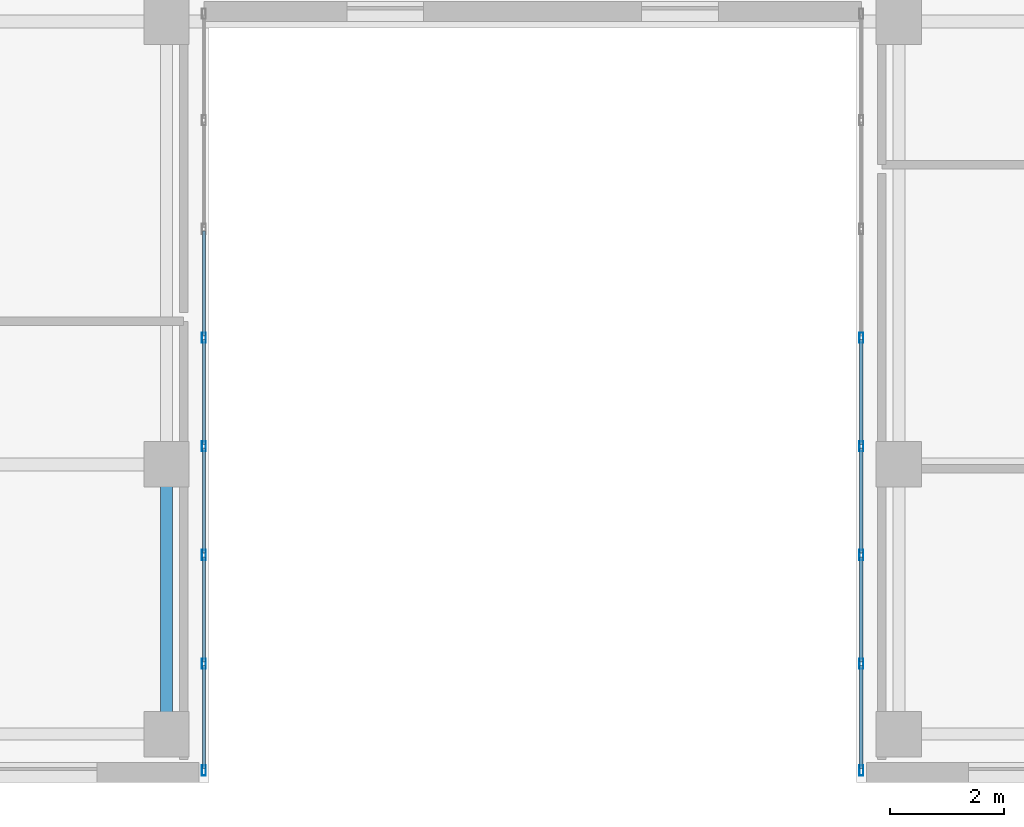
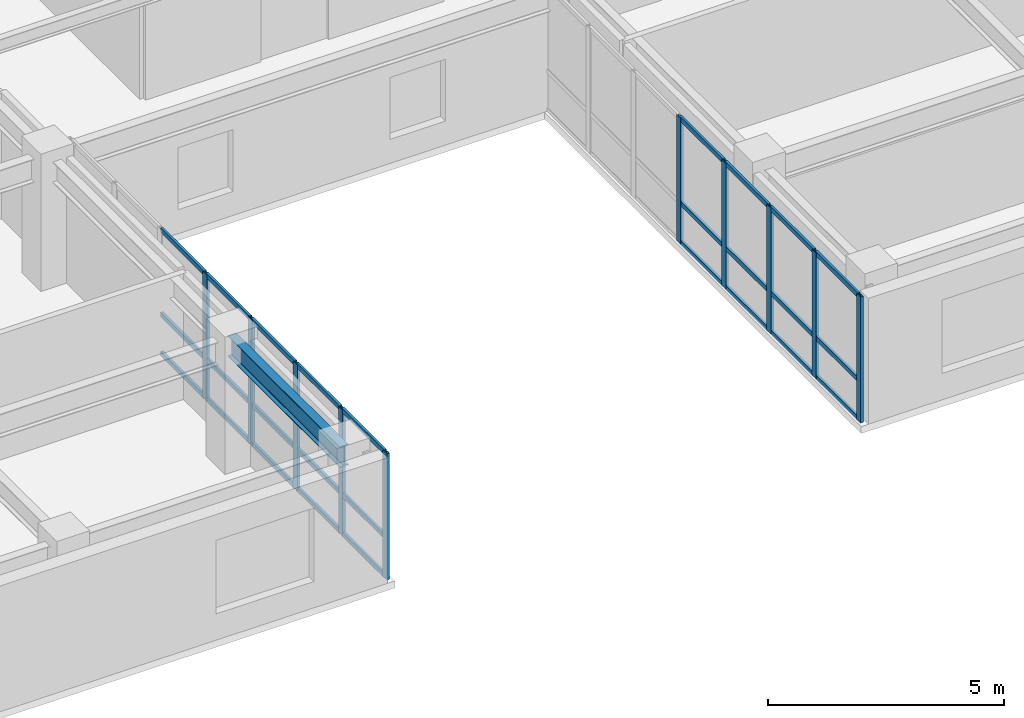
# One storey, part 3 of 14: 37 members, 1 beam, 2 elements without a shape of their own.
"""IFC4 building model written with IfcOpenShell, lengths in metres."""

from ifc_helpers import new_model, si_unit, direction, frame, origin, origin_2d, place, context, subcontext, project, spatial, hollow_rectangle, i_section, extrude, source, transform, mapped, material, layer, layer_set, material_profile, profile_set, type_object, type_shapes, element, aggregate, save


model = new_model("IFC4")

# Units and contexts
model_context = context("Model", 3, precision=1e-05, world=origin(), true_north=direction((0.0, 1.0)))
body_context = subcontext(model_context, "Body", "Model", "MODEL_VIEW")
ifc_project = project(units=[si_unit("LENGTHUNIT", "METRE"), si_unit("AREAUNIT", "SQUARE_METRE"), si_unit("VOLUMEUNIT", "CUBIC_METRE"), si_unit("PLANEANGLEUNIT", "RADIAN"), si_unit("MASSUNIT", "GRAM", prefix="KILO")], contexts=[model_context])

# Site, building, storey
site_placement = place(None, origin())
site = spatial("IfcSite", under=ifc_project, at=site_placement, CompositionType="ELEMENT")
building_placement = place(site_placement, origin())
building = spatial("IfcBuilding", under=site, at=building_placement, Name="Tolvann Quenvar Hotel", CompositionType="ELEMENT")
storey_placement = place(building_placement, frame((0.0, 0.0, 179.0)))
storey = spatial("IfcBuildingStorey", under=building, at=storey_placement, Name="L47", CompositionType="ELEMENT", Elevation=179.0)

# Beam
ifc_material_1 = material(Name="Steel Grade 350", Category="steel")
ifc_material_profile_1 = material_profile(ifc_material_1, i_section(OverallWidth=0.208984375, OverallDepth=0.532958984375, WebThickness=0.01025390625, FlangeThickness=0.015625, FilletRadius=0.013916015625, at=origin_2d()), Name="530UB92")
ifc_profile_set_1 = profile_set([ifc_material_profile_1], Name="Steel Grade 350")
beam_type = type_object("IfcBeamType", Name="BM_GIRD_530UB92", PredefinedType="BEAM", material=ifc_profile_set_1)
shared_shape_1 = source(origin(), body_context, "Body", "SweptSolid", [
    extrude(i_section(OverallWidth=0.208984375, OverallDepth=0.532958984375, WebThickness=0.01025390625, FlangeThickness=0.015625, FilletRadius=0.013916015625, at=origin_2d()), origin(), (0.0, 0.0, 1.0), 4.75),
])
type_shapes(beam_type, [shared_shape_1])
beam_placement = place(storey_placement, frame((22.050048828125, 3.449951171875, 2.9833984375), z_axis=(0.0, 1.0, 0.0), x_axis=(-1.0, 0.0, 0.0)))
element("IfcBeam", 1, at=beam_placement, inside=storey, type_object=beam_type, Name="BM-L47-NS-E2-E3", PredefinedType="BEAM", context=body_context, shape_type="MappedRepresentation", body=[
    mapped(shared_shape_1, transform((0.0, 0.0, 0.0), x_axis=(1.0, 0.0, 0.0), y_axis=(0.0, 1.0, 0.0), z_axis=(0.0, 0.0, 1.0), scale=1.0)),
])

# Curtain wall, members
ifc_material_2 = material(Name="Thermally broken anodised architectural aluminium 6063-T6 and laminated low-E glass", Category="aluminium")
ifc_layer = layer(ifc_material_2, 0.179931640625)
ifc_layer_set = layer_set([ifc_layer], Name="Thermally broken anodised architectural aluminium 6063-T6 and laminated low-E glass")
curtain_wall_type = type_object("IfcCurtainWallType", Name="CW_SYS_SLOT_03", PredefinedType="USERDEFINED", material=ifc_layer_set)
curtain_wall_1_placement = place(storey_placement, origin())
curtain_wall_1 = element("IfcCurtainWall", 2, at=curtain_wall_1_placement, inside=storey, type_object=curtain_wall_type, Name="Curtain Wall CW-SLOT-03 (CWR-L47-E05)", ObjectType="UNITISED CURTAIN WALL", PredefinedType="USERDEFINED")
ifc_material_3 = material(Name="Anodised architectural aluminium 6063-T6 framing", Category="aluminium")
ifc_material_profile_2 = material_profile(ifc_material_3, hollow_rectangle(XDim=0.070068359375, YDim=0.179931640625, WallThickness=0.00390625, at=origin_2d()), Name="180x70x4RHS")
ifc_profile_set_2 = profile_set([ifc_material_profile_2], Name="Anodised architectural aluminium 6063-T6 framing")
member_type_1 = type_object("IfcMemberType", Name="CW_MULL_180x70", PredefinedType="MULLION", material=ifc_profile_set_2)
shared_shape_2 = source(origin(), body_context, "Body", "SweptSolid", [
    extrude(hollow_rectangle(XDim=0.070068359375, YDim=0.179931640625, WallThickness=0.00390625, at=origin_2d()), origin(), (0.0, 0.0, 1.0), 3.25),
])
type_shapes(member_type_1, [shared_shape_2])
member_1_placement = place(storey_placement, frame((22.7099609375, 2.81005859375, 0.0), z_axis=(0.0, 0.0, 1.0), x_axis=(-1.0, 0.0, 0.0)))
member_1 = element("IfcMember", 3, at=member_1_placement, type_object=member_type_1, Name="CW-SLOT-03 mullion 1", PredefinedType="MULLION", context=body_context, shape_type="MappedRepresentation", body=[
    mapped(shared_shape_2, transform((0.0, 0.0, 0.0), x_axis=(1.0, 0.0, 0.0), y_axis=(0.0, 1.0, 0.0), z_axis=(0.0, 0.0, 1.0), scale=1.0)),
])
member_2_placement = place(storey_placement, frame((22.7099609375, 4.689208984375, 0.0), z_axis=(0.0, 0.0, 1.0), x_axis=(-1.0, 0.0, 0.0)))
member_2 = element("IfcMember", 4, at=member_2_placement, type_object=member_type_1, Name="CW-SLOT-03 mullion 2", PredefinedType="MULLION", context=body_context, shape_type="MappedRepresentation", body=[
    mapped(shared_shape_2, transform((0.0, 0.0, 0.0), x_axis=(1.0, 0.0, 0.0), y_axis=(0.0, 1.0, 0.0), z_axis=(0.0, 0.0, 1.0), scale=1.0)),
])
member_3_placement = place(storey_placement, frame((22.7099609375, 6.603515625, 0.0), z_axis=(0.0, 0.0, 1.0), x_axis=(-1.0, 0.0, 0.0)))
member_3 = element("IfcMember", 5, at=member_3_placement, type_object=member_type_1, Name="CW-SLOT-03 mullion 3", PredefinedType="MULLION", context=body_context, shape_type="MappedRepresentation", body=[
    mapped(shared_shape_2, transform((0.0, 0.0, 0.0), x_axis=(1.0, 0.0, 0.0), y_axis=(0.0, 1.0, 0.0), z_axis=(0.0, 0.0, 1.0), scale=1.0)),
])
member_4_placement = place(storey_placement, frame((22.7099609375, 8.517822265625, 0.0), z_axis=(0.0, 0.0, 1.0), x_axis=(-1.0, 0.0, 0.0)))
member_4 = element("IfcMember", 6, at=member_4_placement, type_object=member_type_1, Name="CW-SLOT-03 mullion 4", PredefinedType="MULLION", context=body_context, shape_type="MappedRepresentation", body=[
    mapped(shared_shape_2, transform((0.0, 0.0, 0.0), x_axis=(1.0, 0.0, 0.0), y_axis=(0.0, 1.0, 0.0), z_axis=(0.0, 0.0, 1.0), scale=1.0)),
])
member_5_placement = place(storey_placement, frame((22.7099609375, 10.43212890625, 0.0), z_axis=(0.0, 0.0, 1.0), x_axis=(-1.0, 0.0, 0.0)))
member_5 = element("IfcMember", 7, at=member_5_placement, type_object=member_type_1, Name="CW-SLOT-03 mullion 5", PredefinedType="MULLION", context=body_context, shape_type="MappedRepresentation", body=[
    mapped(shared_shape_2, transform((0.0, 0.0, 0.0), x_axis=(1.0, 0.0, 0.0), y_axis=(0.0, 1.0, 0.0), z_axis=(0.0, 0.0, 1.0), scale=1.0)),
])

curtain_wall_2_placement = place(storey_placement, origin())
curtain_wall_2 = element("IfcCurtainWall", 8, at=curtain_wall_2_placement, inside=storey, type_object=curtain_wall_type, Name="Curtain Wall CW-SLOT-03 (CWR-L47-E07)", ObjectType="UNITISED CURTAIN WALL", PredefinedType="USERDEFINED")
member_6_placement = place(storey_placement, frame((34.2900390625, 10.43212890625, 0.0), z_axis=(0.0, 0.0, 1.0), x_axis=(1.0, 0.0, 0.0)))
member_6 = element("IfcMember", 9, at=member_6_placement, type_object=member_type_1, Name="CW-SLOT-03 mullion 4", PredefinedType="MULLION", context=body_context, shape_type="MappedRepresentation", body=[
    mapped(shared_shape_2, transform((0.0, 0.0, 0.0), x_axis=(1.0, 0.0, 0.0), y_axis=(0.0, 1.0, 0.0), z_axis=(0.0, 0.0, 1.0), scale=1.0)),
])
member_7_placement = place(storey_placement, frame((34.2900390625, 8.517822265625, 0.0), z_axis=(0.0, 0.0, 1.0), x_axis=(1.0, 0.0, 0.0)))
member_7 = element("IfcMember", 10, at=member_7_placement, type_object=member_type_1, Name="CW-SLOT-03 mullion 5", PredefinedType="MULLION", context=body_context, shape_type="MappedRepresentation", body=[
    mapped(shared_shape_2, transform((0.0, 0.0, 0.0), x_axis=(1.0, 0.0, 0.0), y_axis=(0.0, 1.0, 0.0), z_axis=(0.0, 0.0, 1.0), scale=1.0)),
])
member_8_placement = place(storey_placement, frame((34.2900390625, 6.603515625, 0.0), z_axis=(0.0, 0.0, 1.0), x_axis=(1.0, 0.0, 0.0)))
member_8 = element("IfcMember", 11, at=member_8_placement, type_object=member_type_1, Name="CW-SLOT-03 mullion 6", PredefinedType="MULLION", context=body_context, shape_type="MappedRepresentation", body=[
    mapped(shared_shape_2, transform((0.0, 0.0, 0.0), x_axis=(1.0, 0.0, 0.0), y_axis=(0.0, 1.0, 0.0), z_axis=(0.0, 0.0, 1.0), scale=1.0)),
])
member_9_placement = place(storey_placement, frame((34.2900390625, 4.689208984375, 0.0), z_axis=(0.0, 0.0, 1.0), x_axis=(1.0, 0.0, 0.0)))
member_9 = element("IfcMember", 12, at=member_9_placement, type_object=member_type_1, Name="CW-SLOT-03 mullion 7", PredefinedType="MULLION", context=body_context, shape_type="MappedRepresentation", body=[
    mapped(shared_shape_2, transform((0.0, 0.0, 0.0), x_axis=(1.0, 0.0, 0.0), y_axis=(0.0, 1.0, 0.0), z_axis=(0.0, 0.0, 1.0), scale=1.0)),
])
member_10_placement = place(storey_placement, frame((34.2900390625, 2.81005859375, 0.0), z_axis=(0.0, 0.0, 1.0), x_axis=(1.0, 0.0, 0.0)))
member_10 = element("IfcMember", 13, at=member_10_placement, type_object=member_type_1, Name="CW-SLOT-03 mullion 8", PredefinedType="MULLION", context=body_context, shape_type="MappedRepresentation", body=[
    mapped(shared_shape_2, transform((0.0, 0.0, 0.0), x_axis=(1.0, 0.0, 0.0), y_axis=(0.0, 1.0, 0.0), z_axis=(0.0, 0.0, 1.0), scale=1.0)),
])

# Member
ifc_material_profile_3 = material_profile(ifc_material_3, hollow_rectangle(XDim=0.06005859375, YDim=0.1201171875, WallThickness=0.00341796875, at=origin_2d()), Name="120x60x3.5RHS")
ifc_profile_set_3 = profile_set([ifc_material_profile_3], Name="Anodised architectural aluminium 6063-T6 framing")
member_type_2 = type_object("IfcMemberType", Name="CW_TRAN_120x60", PredefinedType="USERDEFINED", material=ifc_profile_set_3)
shared_shape_3 = source(origin(), body_context, "Body", "SweptSolid", [
    extrude(hollow_rectangle(XDim=0.06005859375, YDim=0.1201171875, WallThickness=0.00341796875, at=origin_2d()), origin(), (0.0, 0.0, 1.0), 1.809326171875),
])
member_11_placement = place(storey_placement, frame((22.7099609375, 2.844970703125, 0.030029296875), z_axis=(0.0, 1.0, 0.0), x_axis=(-1.0, 0.0, 0.0)))
member_11 = element("IfcMember", 14, at=member_11_placement, type_object=member_type_2, Name="CW-SLOT-03 transom 1.1", ObjectType="TRANSOM", PredefinedType="USERDEFINED", context=body_context, shape_type="MappedRepresentation", body=[
    mapped(shared_shape_3, transform((0.0, 0.0, 0.0), x_axis=(1.0, 0.0, 0.0), y_axis=(0.0, 1.0, 0.0), z_axis=(0.0, 0.0, 1.0), scale=1.0)),
])

member_12_placement = place(storey_placement, frame((22.7099609375, 2.844970703125, 1.0400390625), z_axis=(0.0, 1.0, 0.0), x_axis=(-1.0, 0.0, 0.0)))
member_12 = element("IfcMember", 15, at=member_12_placement, type_object=member_type_2, Name="CW-SLOT-03 transom 1.2", ObjectType="TRANSOM", PredefinedType="USERDEFINED", context=body_context, shape_type="MappedRepresentation", body=[
    mapped(shared_shape_3, transform((0.0, 0.0, 0.0), x_axis=(1.0, 0.0, 0.0), y_axis=(0.0, 1.0, 0.0), z_axis=(0.0, 0.0, 1.0), scale=1.0)),
])

member_13_placement = place(storey_placement, frame((22.7099609375, 2.844970703125, 3.219970703125), z_axis=(0.0, 1.0, 0.0), x_axis=(-1.0, 0.0, 0.0)))
member_13 = element("IfcMember", 16, at=member_13_placement, type_object=member_type_2, Name="CW-SLOT-03 transom 1.3", ObjectType="TRANSOM", PredefinedType="USERDEFINED", context=body_context, shape_type="MappedRepresentation", body=[
    mapped(shared_shape_3, transform((0.0, 0.0, 0.0), x_axis=(1.0, 0.0, 0.0), y_axis=(0.0, 1.0, 0.0), z_axis=(0.0, 0.0, 1.0), scale=1.0)),
])

member_14_placement = place(storey_placement, frame((34.2900390625, 4.654296875, 0.030029296875), z_axis=(0.0, -1.0, 0.0), x_axis=(1.0, 0.0, 0.0)))
member_14 = element("IfcMember", 17, at=member_14_placement, type_object=member_type_2, Name="CW-SLOT-03 transom 7.1", ObjectType="TRANSOM", PredefinedType="USERDEFINED", context=body_context, shape_type="MappedRepresentation", body=[
    mapped(shared_shape_3, transform((0.0, 0.0, 0.0), x_axis=(1.0, 0.0, 0.0), y_axis=(0.0, 1.0, 0.0), z_axis=(0.0, 0.0, 1.0), scale=1.0)),
])

member_15_placement = place(storey_placement, frame((34.2900390625, 4.654296875, 1.0400390625), z_axis=(0.0, -1.0, 0.0), x_axis=(1.0, 0.0, 0.0)))
member_15 = element("IfcMember", 18, at=member_15_placement, type_object=member_type_2, Name="CW-SLOT-03 transom 7.2", ObjectType="TRANSOM", PredefinedType="USERDEFINED", context=body_context, shape_type="MappedRepresentation", body=[
    mapped(shared_shape_3, transform((0.0, 0.0, 0.0), x_axis=(1.0, 0.0, 0.0), y_axis=(0.0, 1.0, 0.0), z_axis=(0.0, 0.0, 1.0), scale=1.0)),
])

member_16_placement = place(storey_placement, frame((34.2900390625, 4.654296875, 3.219970703125), z_axis=(0.0, -1.0, 0.0), x_axis=(1.0, 0.0, 0.0)))
member_16 = element("IfcMember", 19, at=member_16_placement, type_object=member_type_2, Name="CW-SLOT-03 transom 7.3", ObjectType="TRANSOM", PredefinedType="USERDEFINED", context=body_context, shape_type="MappedRepresentation", body=[
    mapped(shared_shape_3, transform((0.0, 0.0, 0.0), x_axis=(1.0, 0.0, 0.0), y_axis=(0.0, 1.0, 0.0), z_axis=(0.0, 0.0, 1.0), scale=1.0)),
])

shared_shape_4 = source(origin(), body_context, "Body", "SweptSolid", [
    extrude(hollow_rectangle(XDim=0.06005859375, YDim=0.1201171875, WallThickness=0.00341796875, at=origin_2d()), origin(), (0.0, 0.0, 1.0), 1.84423828125),
])
member_17_placement = place(storey_placement, frame((22.7099609375, 4.724365234375, 0.030029296875), z_axis=(0.0, 1.0, 0.0), x_axis=(-1.0, 0.0, 0.0)))
member_17 = element("IfcMember", 20, at=member_17_placement, type_object=member_type_2, Name="CW-SLOT-03 transom 2.1", ObjectType="TRANSOM", PredefinedType="USERDEFINED", context=body_context, shape_type="MappedRepresentation", body=[
    mapped(shared_shape_4, transform((0.0, 0.0, 0.0), x_axis=(1.0, 0.0, 0.0), y_axis=(0.0, 1.0, 0.0), z_axis=(0.0, 0.0, 1.0), scale=1.0)),
])

member_18_placement = place(storey_placement, frame((22.7099609375, 4.724365234375, 1.0400390625), z_axis=(0.0, 1.0, 0.0), x_axis=(-1.0, 0.0, 0.0)))
member_18 = element("IfcMember", 21, at=member_18_placement, type_object=member_type_2, Name="CW-SLOT-03 transom 2.2", ObjectType="TRANSOM", PredefinedType="USERDEFINED", context=body_context, shape_type="MappedRepresentation", body=[
    mapped(shared_shape_4, transform((0.0, 0.0, 0.0), x_axis=(1.0, 0.0, 0.0), y_axis=(0.0, 1.0, 0.0), z_axis=(0.0, 0.0, 1.0), scale=1.0)),
])

member_19_placement = place(storey_placement, frame((22.7099609375, 4.724365234375, 3.219970703125), z_axis=(0.0, 1.0, 0.0), x_axis=(-1.0, 0.0, 0.0)))
member_19 = element("IfcMember", 22, at=member_19_placement, type_object=member_type_2, Name="CW-SLOT-03 transom 2.3", ObjectType="TRANSOM", PredefinedType="USERDEFINED", context=body_context, shape_type="MappedRepresentation", body=[
    mapped(shared_shape_4, transform((0.0, 0.0, 0.0), x_axis=(1.0, 0.0, 0.0), y_axis=(0.0, 1.0, 0.0), z_axis=(0.0, 0.0, 1.0), scale=1.0)),
])

member_20_placement = place(storey_placement, frame((22.7099609375, 6.638671875, 0.030029296875), z_axis=(0.0, 1.0, 0.0), x_axis=(-1.0, 0.0, 0.0)))
member_20 = element("IfcMember", 23, at=member_20_placement, type_object=member_type_2, Name="CW-SLOT-03 transom 3.1", ObjectType="TRANSOM", PredefinedType="USERDEFINED", context=body_context, shape_type="MappedRepresentation", body=[
    mapped(shared_shape_4, transform((0.0, 0.0, 0.0), x_axis=(1.0, 0.0, 0.0), y_axis=(0.0, 1.0, 0.0), z_axis=(0.0, 0.0, 1.0), scale=1.0)),
])

member_21_placement = place(storey_placement, frame((22.7099609375, 6.638671875, 1.0400390625), z_axis=(0.0, 1.0, 0.0), x_axis=(-1.0, 0.0, 0.0)))
member_21 = element("IfcMember", 24, at=member_21_placement, type_object=member_type_2, Name="CW-SLOT-03 transom 3.2", ObjectType="TRANSOM", PredefinedType="USERDEFINED", context=body_context, shape_type="MappedRepresentation", body=[
    mapped(shared_shape_4, transform((0.0, 0.0, 0.0), x_axis=(1.0, 0.0, 0.0), y_axis=(0.0, 1.0, 0.0), z_axis=(0.0, 0.0, 1.0), scale=1.0)),
])

member_22_placement = place(storey_placement, frame((22.7099609375, 6.638671875, 3.219970703125), z_axis=(0.0, 1.0, 0.0), x_axis=(-1.0, 0.0, 0.0)))
member_22 = element("IfcMember", 25, at=member_22_placement, type_object=member_type_2, Name="CW-SLOT-03 transom 3.3", ObjectType="TRANSOM", PredefinedType="USERDEFINED", context=body_context, shape_type="MappedRepresentation", body=[
    mapped(shared_shape_4, transform((0.0, 0.0, 0.0), x_axis=(1.0, 0.0, 0.0), y_axis=(0.0, 1.0, 0.0), z_axis=(0.0, 0.0, 1.0), scale=1.0)),
])

member_23_placement = place(storey_placement, frame((22.7099609375, 8.552978515625, 0.030029296875), z_axis=(0.0, 1.0, 0.0), x_axis=(-1.0, 0.0, 0.0)))
member_23 = element("IfcMember", 26, at=member_23_placement, type_object=member_type_2, Name="CW-SLOT-03 transom 4.1", ObjectType="TRANSOM", PredefinedType="USERDEFINED", context=body_context, shape_type="MappedRepresentation", body=[
    mapped(shared_shape_4, transform((0.0, 0.0, 0.0), x_axis=(1.0, 0.0, 0.0), y_axis=(0.0, 1.0, 0.0), z_axis=(0.0, 0.0, 1.0), scale=1.0)),
])

member_24_placement = place(storey_placement, frame((22.7099609375, 8.552978515625, 1.0400390625), z_axis=(0.0, 1.0, 0.0), x_axis=(-1.0, 0.0, 0.0)))
member_24 = element("IfcMember", 27, at=member_24_placement, type_object=member_type_2, Name="CW-SLOT-03 transom 4.2", ObjectType="TRANSOM", PredefinedType="USERDEFINED", context=body_context, shape_type="MappedRepresentation", body=[
    mapped(shared_shape_4, transform((0.0, 0.0, 0.0), x_axis=(1.0, 0.0, 0.0), y_axis=(0.0, 1.0, 0.0), z_axis=(0.0, 0.0, 1.0), scale=1.0)),
])

member_25_placement = place(storey_placement, frame((22.7099609375, 8.552978515625, 3.219970703125), z_axis=(0.0, 1.0, 0.0), x_axis=(-1.0, 0.0, 0.0)))
member_25 = element("IfcMember", 28, at=member_25_placement, type_object=member_type_2, Name="CW-SLOT-03 transom 4.3", ObjectType="TRANSOM", PredefinedType="USERDEFINED", context=body_context, shape_type="MappedRepresentation", body=[
    mapped(shared_shape_4, transform((0.0, 0.0, 0.0), x_axis=(1.0, 0.0, 0.0), y_axis=(0.0, 1.0, 0.0), z_axis=(0.0, 0.0, 1.0), scale=1.0)),
])

member_26_placement = place(storey_placement, frame((34.2900390625, 10.397216796875, 0.030029296875), z_axis=(0.0, -1.0, 0.0), x_axis=(1.0, 0.0, 0.0)))
member_26 = element("IfcMember", 29, at=member_26_placement, type_object=member_type_2, Name="CW-SLOT-03 transom 4.1", ObjectType="TRANSOM", PredefinedType="USERDEFINED", context=body_context, shape_type="MappedRepresentation", body=[
    mapped(shared_shape_4, transform((0.0, 0.0, 0.0), x_axis=(1.0, 0.0, 0.0), y_axis=(0.0, 1.0, 0.0), z_axis=(0.0, 0.0, 1.0), scale=1.0)),
])

member_27_placement = place(storey_placement, frame((34.2900390625, 10.397216796875, 1.0400390625), z_axis=(0.0, -1.0, 0.0), x_axis=(1.0, 0.0, 0.0)))
member_27 = element("IfcMember", 30, at=member_27_placement, type_object=member_type_2, Name="CW-SLOT-03 transom 4.2", ObjectType="TRANSOM", PredefinedType="USERDEFINED", context=body_context, shape_type="MappedRepresentation", body=[
    mapped(shared_shape_4, transform((0.0, 0.0, 0.0), x_axis=(1.0, 0.0, 0.0), y_axis=(0.0, 1.0, 0.0), z_axis=(0.0, 0.0, 1.0), scale=1.0)),
])

member_28_placement = place(storey_placement, frame((34.2900390625, 10.397216796875, 3.219970703125), z_axis=(0.0, -1.0, 0.0), x_axis=(1.0, 0.0, 0.0)))
member_28 = element("IfcMember", 31, at=member_28_placement, type_object=member_type_2, Name="CW-SLOT-03 transom 4.3", ObjectType="TRANSOM", PredefinedType="USERDEFINED", context=body_context, shape_type="MappedRepresentation", body=[
    mapped(shared_shape_4, transform((0.0, 0.0, 0.0), x_axis=(1.0, 0.0, 0.0), y_axis=(0.0, 1.0, 0.0), z_axis=(0.0, 0.0, 1.0), scale=1.0)),
])

member_29_placement = place(storey_placement, frame((34.2900390625, 8.48291015625, 0.030029296875), z_axis=(0.0, -1.0, 0.0), x_axis=(1.0, 0.0, 0.0)))
member_29 = element("IfcMember", 32, at=member_29_placement, type_object=member_type_2, Name="CW-SLOT-03 transom 5.1", ObjectType="TRANSOM", PredefinedType="USERDEFINED", context=body_context, shape_type="MappedRepresentation", body=[
    mapped(shared_shape_4, transform((0.0, 0.0, 0.0), x_axis=(1.0, 0.0, 0.0), y_axis=(0.0, 1.0, 0.0), z_axis=(0.0, 0.0, 1.0), scale=1.0)),
])

member_30_placement = place(storey_placement, frame((34.2900390625, 8.48291015625, 1.0400390625), z_axis=(0.0, -1.0, 0.0), x_axis=(1.0, 0.0, 0.0)))
member_30 = element("IfcMember", 33, at=member_30_placement, type_object=member_type_2, Name="CW-SLOT-03 transom 5.2", ObjectType="TRANSOM", PredefinedType="USERDEFINED", context=body_context, shape_type="MappedRepresentation", body=[
    mapped(shared_shape_4, transform((0.0, 0.0, 0.0), x_axis=(1.0, 0.0, 0.0), y_axis=(0.0, 1.0, 0.0), z_axis=(0.0, 0.0, 1.0), scale=1.0)),
])

member_31_placement = place(storey_placement, frame((34.2900390625, 8.48291015625, 3.219970703125), z_axis=(0.0, -1.0, 0.0), x_axis=(1.0, 0.0, 0.0)))
member_31 = element("IfcMember", 34, at=member_31_placement, type_object=member_type_2, Name="CW-SLOT-03 transom 5.3", ObjectType="TRANSOM", PredefinedType="USERDEFINED", context=body_context, shape_type="MappedRepresentation", body=[
    mapped(shared_shape_4, transform((0.0, 0.0, 0.0), x_axis=(1.0, 0.0, 0.0), y_axis=(0.0, 1.0, 0.0), z_axis=(0.0, 0.0, 1.0), scale=1.0)),
])

member_32_placement = place(storey_placement, frame((34.2900390625, 6.568603515625, 0.030029296875), z_axis=(0.0, -1.0, 0.0), x_axis=(1.0, 0.0, 0.0)))
member_32 = element("IfcMember", 35, at=member_32_placement, type_object=member_type_2, Name="CW-SLOT-03 transom 6.1", ObjectType="TRANSOM", PredefinedType="USERDEFINED", context=body_context, shape_type="MappedRepresentation", body=[
    mapped(shared_shape_4, transform((0.0, 0.0, 0.0), x_axis=(1.0, 0.0, 0.0), y_axis=(0.0, 1.0, 0.0), z_axis=(0.0, 0.0, 1.0), scale=1.0)),
])

member_33_placement = place(storey_placement, frame((34.2900390625, 6.568603515625, 1.0400390625), z_axis=(0.0, -1.0, 0.0), x_axis=(1.0, 0.0, 0.0)))
member_33 = element("IfcMember", 36, at=member_33_placement, type_object=member_type_2, Name="CW-SLOT-03 transom 6.2", ObjectType="TRANSOM", PredefinedType="USERDEFINED", context=body_context, shape_type="MappedRepresentation", body=[
    mapped(shared_shape_4, transform((0.0, 0.0, 0.0), x_axis=(1.0, 0.0, 0.0), y_axis=(0.0, 1.0, 0.0), z_axis=(0.0, 0.0, 1.0), scale=1.0)),
])

member_34_placement = place(storey_placement, frame((34.2900390625, 6.568603515625, 3.219970703125), z_axis=(0.0, -1.0, 0.0), x_axis=(1.0, 0.0, 0.0)))
member_34 = element("IfcMember", 37, at=member_34_placement, type_object=member_type_2, Name="CW-SLOT-03 transom 6.3", ObjectType="TRANSOM", PredefinedType="USERDEFINED", context=body_context, shape_type="MappedRepresentation", body=[
    mapped(shared_shape_4, transform((0.0, 0.0, 0.0), x_axis=(1.0, 0.0, 0.0), y_axis=(0.0, 1.0, 0.0), z_axis=(0.0, 0.0, 1.0), scale=1.0)),
])

aggregate(curtain_wall_2, [member_6, member_7, member_8, member_9, member_10, member_26, member_27, member_28, member_29, member_30, member_31, member_32, member_33, member_34, member_14, member_15, member_16])

shared_shape_5 = source(origin(), body_context, "Body", "SweptSolid", [
    extrude(hollow_rectangle(XDim=0.06005859375, YDim=0.1201171875, WallThickness=0.00341796875, at=origin_2d()), origin(), (0.0, 0.0, 1.0), 1.844482421875),
])
type_shapes(member_type_2, [shared_shape_3, shared_shape_4, shared_shape_5])
member_35_placement = place(storey_placement, frame((22.7099609375, 10.467041015625, 0.030029296875), z_axis=(0.0, 1.0, 0.0), x_axis=(-1.0, 0.0, 0.0)))
member_35 = element("IfcMember", 38, at=member_35_placement, type_object=member_type_2, Name="CW-SLOT-03 transom 5.1", ObjectType="TRANSOM", PredefinedType="USERDEFINED", context=body_context, shape_type="MappedRepresentation", body=[
    mapped(shared_shape_5, transform((0.0, 0.0, 0.0), x_axis=(1.0, 0.0, 0.0), y_axis=(0.0, 1.0, 0.0), z_axis=(0.0, 0.0, 1.0), scale=1.0)),
])

member_36_placement = place(storey_placement, frame((22.7099609375, 10.467041015625, 1.0400390625), z_axis=(0.0, 1.0, 0.0), x_axis=(-1.0, 0.0, 0.0)))
member_36 = element("IfcMember", 39, at=member_36_placement, type_object=member_type_2, Name="CW-SLOT-03 transom 5.2", ObjectType="TRANSOM", PredefinedType="USERDEFINED", context=body_context, shape_type="MappedRepresentation", body=[
    mapped(shared_shape_5, transform((0.0, 0.0, 0.0), x_axis=(1.0, 0.0, 0.0), y_axis=(0.0, 1.0, 0.0), z_axis=(0.0, 0.0, 1.0), scale=1.0)),
])

member_37_placement = place(storey_placement, frame((22.7099609375, 10.467041015625, 3.219970703125), z_axis=(0.0, 1.0, 0.0), x_axis=(-1.0, 0.0, 0.0)))
member_37 = element("IfcMember", 40, at=member_37_placement, type_object=member_type_2, Name="CW-SLOT-03 transom 5.3", ObjectType="TRANSOM", PredefinedType="USERDEFINED", context=body_context, shape_type="MappedRepresentation", body=[
    mapped(shared_shape_5, transform((0.0, 0.0, 0.0), x_axis=(1.0, 0.0, 0.0), y_axis=(0.0, 1.0, 0.0), z_axis=(0.0, 0.0, 1.0), scale=1.0)),
])

aggregate(curtain_wall_1, [member_1, member_2, member_3, member_4, member_5, member_11, member_12, member_13, member_17, member_18, member_19, member_20, member_21, member_22, member_23, member_24, member_25, member_35, member_36, member_37])

save(model, "model.ifc")
